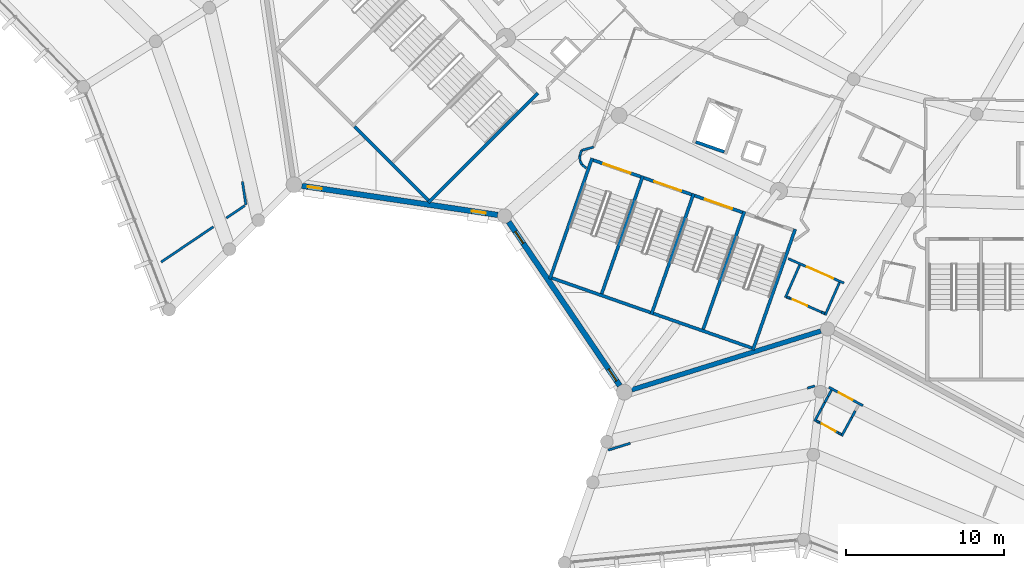
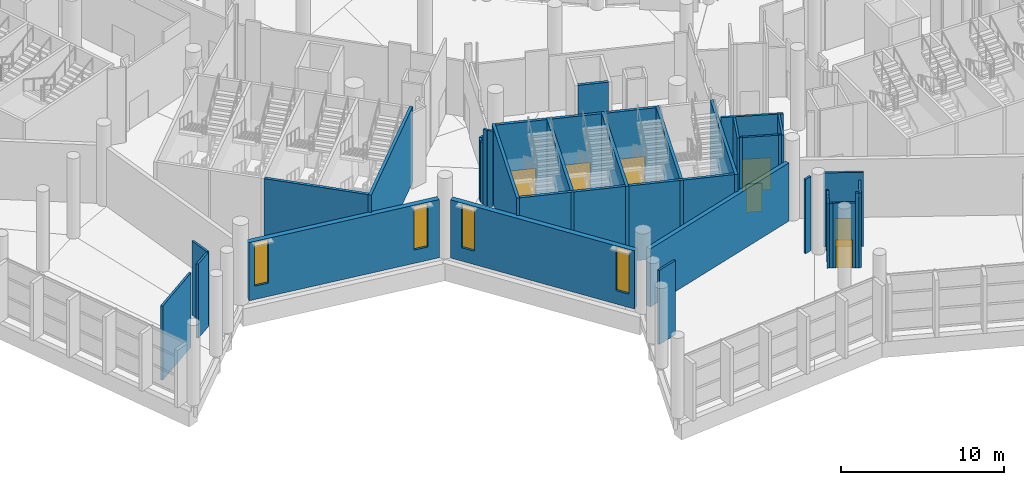
# One storey, part 136 of 249: 42 walls, 7 doors, 4 windows, 11 openings.
"""IFC4 building model written with IfcOpenShell, lengths in metres."""

from ifc_helpers import new_model, si_unit, direction, frame, frame_2d, origin, place, context, subcontext, project, spatial, rectangle, extrude, material, layer, layer_set, type_object, element, fill, save


model = new_model("IFC4")

# Units and contexts
model_context = context("Model", 3, precision=1e-05, world=origin(), true_north=direction((0.0, 1.0)))
body_context = subcontext(model_context, "Body", "Model", "MODEL_VIEW")
ifc_project = project(units=[si_unit("LENGTHUNIT", "METRE"), si_unit("AREAUNIT", "SQUARE_METRE"), si_unit("VOLUMEUNIT", "CUBIC_METRE"), si_unit("PLANEANGLEUNIT", "RADIAN"), si_unit("MASSUNIT", "GRAM", prefix="KILO")], contexts=[model_context])

# Site, building, storey
site_placement = place(None, origin())
site = spatial("IfcSite", under=ifc_project, at=site_placement, CompositionType="ELEMENT")
building_placement = place(site_placement, origin())
building = spatial("IfcBuilding", under=site, at=building_placement, Name="Meseta Stadium", CompositionType="ELEMENT")
storey_placement = place(building_placement, frame((0.0, 0.0, 12.0)))
storey = spatial("IfcBuildingStorey", under=building, at=storey_placement, Name="L02", CompositionType="ELEMENT", Elevation=12.0)

# Walls
ifc_material_1 = material(Name="Concrete C40/50", Category="concrete")
ifc_layer_1 = layer(ifc_material_1, 0.199951171875)
ifc_layer_set_1 = layer_set([ifc_layer_1], Name="Core divider wall 200")
wall_type_1 = type_object("IfcWallType", Name="Core divider wall 200", PredefinedType="SHEAR", material=ifc_layer_set_1)
for number, where, z_axis, x_axis, name in (
    (1, (-65.789306640625, -96.260009765625, 0.0), (0.0, 0.0, 1.0), (0.330280610426, 0.943882788474, 0.0), "Core 22 L02 stair A divider wall"),
    (2, (-59.370849609375, -98.505859375, 0.0), (0.0, 0.0, 1.0), (0.330280610426, 0.943882788474, 0.0), "Core 22 L02 stair B divider wall"),
):
    element("IfcWall", number, at=place(storey_placement, frame(where, z_axis=z_axis, x_axis=x_axis)), inside=storey, type_object=wall_type_1, Name=name, PredefinedType="SHEAR", context=body_context, shape_type="SweptSolid", body=[
        extrude(rectangle(XDim=8.10009765625, YDim=0.199951171875, at=frame_2d((4.050048828125, 0.0))), origin(), (0.0, 0.0, 1.0), 5.64990234375),
    ])
ifc_material_2 = material(Name="Concrete C40/50", Category="concrete")
ifc_layer_2 = layer(ifc_material_2, 0.199951171875)
ifc_layer_set_2 = layer_set([ifc_layer_2], Name="Core shaft wall 200")
wall_type_2 = type_object("IfcWallType", Name="Core shaft wall 200", PredefinedType="SHEAR", material=ifc_layer_set_2)
wall_1_placement = place(storey_placement, frame((-76.6884765625, -90.30517578125, 0.0), z_axis=(0.0, 0.0, 1.0), x_axis=(0.707106781187, 0.707106781187, 0.0)))
element("IfcWall", 3, at=wall_1_placement, inside=storey, type_object=wall_type_2, Name="Core 21 L02 stair wall B-side", PredefinedType="SHEAR", context=body_context, shape_type="SweptSolid", body=[
    extrude(rectangle(XDim=9.800048828125, YDim=0.199951171875, at=frame_2d((4.89990234375, 0.0))), origin(), (0.0, 0.0, 1.0), 5.64990234375),
])
wall_2_placement = place(storey_placement, frame((-81.355224609375, -85.496826171875, 0.0), z_axis=(0.0, 0.0, 1.0), x_axis=(0.707088285305, -0.707125276584, 0.0)))
element("IfcWall", 4, at=wall_2_placement, inside=storey, type_object=wall_type_2, Name="Core 21 L02 stair B outer end wall", PredefinedType="SHEAR", context=body_context, shape_type="SweptSolid", body=[
    extrude(rectangle(XDim=6.599853515625, YDim=0.199951171875, at=frame_2d((3.2998046875, 0.0))), origin(), (0.0, 0.0, 1.0), 5.64990234375),
])
for number, where, z_axis, x_axis, name in (
    (5, (-68.998291015625, -95.136962890625, 0.0), (0.0, 0.0, 1.0), (0.330263153216, 0.943888896866, 0.0), "Core 22 L02 stair wall A-side"),
    (6, (-62.580078125, -97.3828125, 0.0), (0.0, 0.0, 1.0), (0.330290006891, 0.943879500438, 0.0), "Core 22 L02 stair wall shared"),
):
    element("IfcWall", number, at=place(storey_placement, frame(where, z_axis=z_axis, x_axis=x_axis)), inside=storey, type_object=wall_type_2, Name=name, PredefinedType="SHEAR", context=body_context, shape_type="SweptSolid", body=[
        extrude(rectangle(XDim=8.099853515625, YDim=0.199951171875, at=frame_2d((4.0498046875, 0.0))), origin(), (0.0, 0.0, 1.0), 5.64990234375),
    ])
wall_3_placement = place(storey_placement, frame((-56.16162109375, -99.62890625, 0.0), z_axis=(0.0, 0.0, 1.0), x_axis=(0.330280610426, 0.943882788474, 0.0)))
element("IfcWall", 7, at=wall_3_placement, inside=storey, type_object=wall_type_2, Name="Core 22 L02 stair wall B-side", PredefinedType="SHEAR", context=body_context, shape_type="SweptSolid", body=[
    extrude(rectangle(XDim=8.10009765625, YDim=0.199951171875, at=frame_2d((4.050048828125, 0.0))), origin(), (0.0, 0.0, 1.0), 5.64990234375),
])
for number, where, z_axis, x_axis, name in (
    (8, (-68.87109375, -95.07568359375, 0.0), (0.0, 0.0, 1.0), (0.943880844925, -0.330286164688, 0.0), "Core 22 L02 stair A outer end wall"),
    (9, (-62.45263671875, -97.321533203125, 0.0), (0.0, 0.0, 1.0), (0.943880844925, -0.330286164688, 0.0), "Core 22 L02 stair B outer end wall"),
):
    element("IfcWall", number, at=place(storey_placement, frame(where, z_axis=z_axis, x_axis=x_axis)), inside=storey, type_object=wall_type_2, Name=name, PredefinedType="SHEAR", context=body_context, shape_type="SweptSolid", body=[
        extrude(rectangle(XDim=6.60009765625, YDim=0.199951171875, at=frame_2d((3.300048828125, 0.0))), origin(), (0.0, 0.0, 1.0), 5.64990234375),
    ])

# Wall, opening, door
wall_4_placement = place(storey_placement, frame((-66.26171875, -87.618896484375, 0.0), z_axis=(0.0, 0.0, 1.0), x_axis=(0.943878576031, -0.330292648585, 0.0)))
wall_4 = element("IfcWall", 10, at=wall_4_placement, inside=storey, type_object=wall_type_2, Name="Core 22 L02 stair A1 inner end wall", PredefinedType="SHEAR", context=body_context, shape_type="SweptSolid", body=[
    extrude(rectangle(XDim=3.199951171875, YDim=0.199951171875, at=frame_2d((1.60009765625, 0.0))), origin(), (0.0, 0.0, 1.0), 5.64990234375),
])
opening_1_placement = place(wall_4_placement, frame((0.699951171875, 0.0, 0.0)))
opening_1 = element("IfcOpeningElement", 11, at=opening_1_placement, cuts=wall_4, Name="Opening D1066", PredefinedType="OPENING", context=body_context, shape_type="SweptSolid", body=[
    extrude(rectangle(XDim=1.800048828125, YDim=2.10009765625, at=frame_2d((0.89990234375, 1.050048828125))), frame((0.0, 0.10986328125, 0.0), z_axis=(0.0, -1.0, 0.0), x_axis=(1.0, 0.0, 0.0)), (0.0, 0.0, 1.0), 0.219970703125),
])
ifc_material_3 = material(Name="Steel", Category="steel")
door_type_1 = type_object("IfcDoorType", Name="Stair door 1800x2100", OperationType="DOUBLE_DOOR_SINGLE_SWING", PredefinedType="DOOR", material=ifc_material_3)
door_1_placement = place(opening_1_placement, origin())
door_1 = element("IfcDoor", 12, at=door_1_placement, inside=storey, type_object=door_type_1, Name="Stair A1 door 22 L02", OperationType="DOUBLE_DOOR_SINGLE_SWING", OverallHeight=2.10009765625, OverallWidth=1.800048828125, PredefinedType="DOOR", context=body_context, shape_type="SweptSolid", body=[
    extrude(rectangle(XDim=1.800048828125, YDim=2.10009765625, at=frame_2d((0.89990234375, 1.050048828125))), frame((0.0, 0.02490234375, 0.0), z_axis=(0.0, -1.0, 0.0), x_axis=(1.0, 0.0, 0.0)), (0.0, 0.0, 1.0), 0.050048828125),
])
fill(opening_1, door_1)

wall_5_placement = place(storey_placement, frame((-63.052490234375, -88.741943359375, 0.0), z_axis=(0.0, 0.0, 1.0), x_axis=(0.943878576031, -0.330292648585, 0.0)))
wall_5 = element("IfcWall", 13, at=wall_5_placement, inside=storey, type_object=wall_type_2, Name="Core 22 L02 stair A2 inner end wall", PredefinedType="SHEAR", context=body_context, shape_type="SweptSolid", body=[
    extrude(rectangle(XDim=3.199951171875, YDim=0.199951171875, at=frame_2d((1.60009765625, 0.0))), origin(), (0.0, 0.0, 1.0), 5.64990234375),
])
opening_2_placement = place(wall_5_placement, frame((0.699951171875, 0.0, 0.0)))
opening_2 = element("IfcOpeningElement", 14, at=opening_2_placement, cuts=wall_5, Name="Opening D1070", PredefinedType="OPENING", context=body_context, shape_type="SweptSolid", body=[
    extrude(rectangle(XDim=1.800048828125, YDim=2.10009765625, at=frame_2d((0.89990234375, 1.050048828125))), frame((0.0, 0.10986328125, 0.0), z_axis=(0.0, -1.0, 0.0), x_axis=(1.0, 0.0, 0.0)), (0.0, 0.0, 1.0), 0.219970703125),
])
door_2_placement = place(opening_2_placement, origin())
door_2 = element("IfcDoor", 15, at=door_2_placement, inside=storey, type_object=door_type_1, Name="Stair A2 door 22 L02", OperationType="DOUBLE_DOOR_SINGLE_SWING", OverallHeight=2.10009765625, OverallWidth=1.800048828125, PredefinedType="DOOR", context=body_context, shape_type="SweptSolid", body=[
    extrude(rectangle(XDim=1.800048828125, YDim=2.10009765625, at=frame_2d((0.89990234375, 1.050048828125))), frame((0.0, 0.02490234375, 0.0), z_axis=(0.0, -1.0, 0.0), x_axis=(1.0, 0.0, 0.0)), (0.0, 0.0, 1.0), 0.050048828125),
])
fill(opening_2, door_2)

wall_6_placement = place(storey_placement, frame((-59.843505859375, -89.864990234375, 0.0), z_axis=(0.0, 0.0, 1.0), x_axis=(0.943886898693, -0.330268863922, 0.0)))
wall_6 = element("IfcWall", 16, at=wall_6_placement, inside=storey, type_object=wall_type_2, Name="Core 22 L02 stair B1 inner end wall", PredefinedType="SHEAR", context=body_context, shape_type="SweptSolid", body=[
    extrude(rectangle(XDim=3.2001953125, YDim=0.199951171875, at=frame_2d((1.60009765625, 0.0))), origin(), (0.0, 0.0, 1.0), 5.64990234375),
])
opening_3_placement = place(wall_6_placement, frame((0.699951171875, 0.0, 0.0)))
opening_3 = element("IfcOpeningElement", 17, at=opening_3_placement, cuts=wall_6, Name="Opening D1073", PredefinedType="OPENING", context=body_context, shape_type="SweptSolid", body=[
    extrude(rectangle(XDim=1.800048828125, YDim=2.10009765625, at=frame_2d((0.89990234375, 1.050048828125))), frame((0.0, 0.10986328125, 0.0), z_axis=(0.0, -1.0, 0.0), x_axis=(1.0, 0.0, 0.0)), (0.0, 0.0, 1.0), 0.219970703125),
])
door_3_placement = place(opening_3_placement, origin())
door_3 = element("IfcDoor", 18, at=door_3_placement, inside=storey, type_object=door_type_1, Name="Stair B1 door 22 L02", OperationType="DOUBLE_DOOR_SINGLE_SWING", OverallHeight=2.10009765625, OverallWidth=1.800048828125, PredefinedType="DOOR", context=body_context, shape_type="SweptSolid", body=[
    extrude(rectangle(XDim=1.800048828125, YDim=2.10009765625, at=frame_2d((0.89990234375, 1.050048828125))), frame((0.0, 0.02490234375, 0.0), z_axis=(0.0, -1.0, 0.0), x_axis=(1.0, 0.0, 0.0)), (0.0, 0.0, 1.0), 0.050048828125),
])
fill(opening_3, door_3)

# Wall
wall_7_placement = place(storey_placement, frame((-59.768798828125, -86.472412109375, 0.0), z_axis=(0.0, 0.0, 1.0), x_axis=(0.943862362559, -0.330338978239, 0.0)))
element("IfcWall", 19, at=wall_7_placement, inside=storey, type_object=wall_type_2, Name="Core 22 L02 lift shaft back wall", PredefinedType="SHEAR", context=body_context, shape_type="SweptSolid", body=[
    extrude(rectangle(XDim=1.900146484375, YDim=0.199951171875, at=frame_2d((0.9501953125, 0.0))), origin(), (0.0, 0.0, 1.0), 5.64990234375),
])

# Wall, opening, door
ifc_material_4 = material(Name="Masonry blockwork", Category="masonry")
ifc_layer_3 = layer(ifc_material_4, 0.14990234375)
ifc_layer_set_3 = layer_set([ifc_layer_3], Name="Partition 150")
wall_type_3 = type_object("IfcWallType", Name="Partition 150", PredefinedType="PARTITIONING", material=ifc_layer_set_3)
wall_8_placement = place(storey_placement, frame((-53.927490234375, -93.849853515625, 0.0), z_axis=(0.0, 0.0, 1.0), x_axis=(0.915527241614, -0.402255975546, 0.0)))
wall_8 = element("IfcWall", 20, at=wall_8_placement, inside=storey, type_object=wall_type_3, Name="Partition L02 L02-cell21-2-0", PredefinedType="PARTITIONING", context=body_context, shape_type="SweptSolid", body=[
    extrude(rectangle(XDim=3.8486328125, YDim=0.14990234375, at=frame_2d((1.92431640625, 0.0))), origin(), (0.0, 0.0, 1.0), 5.64990234375),
])
opening_4_placement = place(wall_8_placement, frame((1.300048828125, 0.0, 0.0)))
opening_4 = element("IfcOpeningElement", 21, at=opening_4_placement, cuts=wall_8, Name="Opening D1083", PredefinedType="OPENING", context=body_context, shape_type="SweptSolid", body=[
    extrude(rectangle(XDim=1.800048828125, YDim=2.39990234375, at=frame_2d((0.89990234375, 1.199951171875))), frame((0.0, 0.0849609375, 0.0), z_axis=(0.0, -1.0, 0.0), x_axis=(1.0, 0.0, 0.0)), (0.0, 0.0, 1.0), 0.169921875),
])
ifc_material_5 = material(Name="Steel", Category="steel")
door_type_2 = type_object("IfcDoorType", Name="Fire double door 1800x2400 EI2 60", OperationType="DOUBLE_DOOR_SINGLE_SWING", PredefinedType="DOOR", material=ifc_material_5)
door_4_placement = place(opening_4_placement, origin())
door_4 = element("IfcDoor", 22, at=door_4_placement, inside=storey, type_object=door_type_2, Name="Concourse door", OperationType="DOUBLE_DOOR_SINGLE_SWING", OverallHeight=2.39990234375, OverallWidth=1.800048828125, PredefinedType="DOOR", context=body_context, shape_type="SweptSolid", body=[
    extrude(rectangle(XDim=1.800048828125, YDim=2.39990234375, at=frame_2d((0.89990234375, 1.199951171875))), frame((0.0, 0.02490234375, 0.0), z_axis=(0.0, -1.0, 0.0), x_axis=(1.0, 0.0, 0.0)), (0.0, 0.0, 1.0), 0.050048828125),
])
fill(opening_4, door_4)

# Walls
wall_9_placement = place(storey_placement, frame((-88.4375, -88.9794921875, 0.0), z_axis=(0.0, 0.0, 1.0), x_axis=(0.146804847774, -0.989165474868, 0.0)))
element("IfcWall", 23, at=wall_9_placement, inside=storey, type_object=wall_type_3, Name="Partition L02 L02-ring19-0", PredefinedType="PARTITIONING", context=body_context, shape_type="SweptSolid", body=[
    extrude(rectangle(XDim=1.485107421875, YDim=0.14990234375, at=frame_2d((0.74267578125, 0.0))), origin(), (0.0, 0.0, 1.0), 5.550048828125),
])
wall_10_placement = place(storey_placement, frame((-88.288330078125, -90.4951171875, 0.0), z_axis=(0.0, 0.0, 1.0), x_axis=(-0.828834599632, -0.559493705464, 0.0)))
element("IfcWall", 24, at=wall_10_placement, inside=storey, type_object=wall_type_3, Name="Partition L02 L02-ring19-0", PredefinedType="PARTITIONING", context=body_context, shape_type="SweptSolid", body=[
    extrude(rectangle(XDim=1.40771484375, YDim=0.14990234375, at=frame_2d((0.703857421875, 0.0))), origin(), (0.0, 0.0, 1.0), 5.550048828125),
])
wall_11_placement = place(storey_placement, frame((-90.278564453125, -91.838623046875, 0.0), z_axis=(0.0, 0.0, 1.0), x_axis=(-0.828823753048, -0.559509773269, 0.0)))
element("IfcWall", 25, at=wall_11_placement, inside=storey, type_object=wall_type_3, Name="Partition L02 L02-ring19-0", PredefinedType="PARTITIONING", context=body_context, shape_type="SweptSolid", body=[
    extrude(rectangle(XDim=3.97509765625, YDim=0.14990234375, at=frame_2d((1.987548828125, 0.0))), origin(), (0.0, 0.0, 1.0), 5.550048828125),
])
wall_12_placement = place(storey_placement, frame((-65.31591796875, -105.958984375, 0.0), z_axis=(0.0, 0.0, 1.0), x_axis=(0.954867270895, 0.297032818008, 0.0)))
element("IfcWall", 26, at=wall_12_placement, inside=storey, type_object=wall_type_3, Name="Partition L02 L02-ring21-0", PredefinedType="PARTITIONING", context=body_context, shape_type="SweptSolid", body=[
    extrude(rectangle(XDim=1.46630859375, YDim=0.14990234375, at=frame_2d((0.733154296875, 0.0))), origin(), (0.0, 0.0, 1.0), 5.550048828125),
])
wall_13_placement = place(storey_placement, frame((-52.713623046875, -102.041015625, 0.0), z_axis=(0.0, 0.0, 1.0), x_axis=(0.954976336525, 0.296681979025, 0.0)))
element("IfcWall", 27, at=wall_13_placement, inside=storey, type_object=wall_type_3, Name="Partition L02 L02-ring21-0", PredefinedType="PARTITIONING", context=body_context, shape_type="SweptSolid", body=[
    extrude(rectangle(XDim=0.48876953125, YDim=0.14990234375, at=frame_2d((0.244384765625, 0.0))), origin(), (0.0, 0.0, 1.0), 5.550048828125),
])

# Wall, opening, door
wall_14_placement = place(storey_placement, frame((-51.351318359375, -101.983154296875, 0.0), z_axis=(0.0, 0.0, 1.0), x_axis=(0.879139929893, -0.476563724666, 0.0)))
wall_14 = element("IfcWall", 28, at=wall_14_placement, inside=storey, type_object=wall_type_3, Name="Partition L02 L02-ring21-0", PredefinedType="PARTITIONING", context=body_context, shape_type="SweptSolid", body=[
    extrude(rectangle(XDim=2.4384765625, YDim=0.14990234375, at=frame_2d((1.21923828125, 0.0))), origin(), (0.0, 0.0, 1.0), 5.550048828125),
])
opening_5_placement = place(wall_14_placement, frame((0.699951171875, 0.0, 0.0)))
opening_5 = element("IfcOpeningElement", 29, at=opening_5_placement, cuts=wall_14, Name="Opening D1086", PredefinedType="OPENING", context=body_context, shape_type="SweptSolid", body=[
    extrude(rectangle(XDim=1.0, YDim=2.10009765625, at=frame_2d((0.5, 1.050048828125))), frame((0.0, 0.0849609375, 0.0), z_axis=(0.0, -1.0, 0.0), x_axis=(1.0, 0.0, 0.0)), (0.0, 0.0, 1.0), 0.169921875),
])
ifc_material_6 = material(Name="Steel", Category="steel")
door_type_3 = type_object("IfcDoorType", Name="Fire door 1000x2100 EI2 60", OperationType="NOTDEFINED", PredefinedType="DOOR", material=ifc_material_6)
door_5_placement = place(opening_5_placement, origin())
door_5 = element("IfcDoor", 30, at=door_5_placement, inside=storey, type_object=door_type_3, Name="Room door L02 L02-ring21-0", OperationType="SINGLE_SWING_LEFT", OverallHeight=2.10009765625, OverallWidth=1.0, PredefinedType="DOOR", context=body_context, shape_type="SweptSolid", body=[
    extrude(rectangle(XDim=1.0, YDim=2.10009765625, at=frame_2d((0.5, 1.050048828125))), frame((0.0, 0.02490234375, 0.0), z_axis=(0.0, -1.0, 0.0), x_axis=(1.0, 0.0, 0.0)), (0.0, 0.0, 1.0), 0.050048828125),
])
fill(opening_5, door_5)

# Walls
wall_15_placement = place(storey_placement, frame((-66.99853515625, -87.010009765625, 0.0), z_axis=(0.0, 0.0, 1.0), x_axis=(-0.293078832254, -0.956088279441, 0.0)))
element("IfcWall", 31, at=wall_15_placement, inside=storey, type_object=wall_type_3, Name="Stair vestibule wall L02 core 22", PredefinedType="PARTITIONING", context=body_context, shape_type="SweptSolid", body=[
    extrude(rectangle(XDim=0.374755859375, YDim=0.14990234375, at=frame_2d((0.1875, 0.0))), origin(), (0.0, 0.0, 1.0), 4.550048828125),
])
wall_16_placement = place(storey_placement, frame((-67.1083984375, -87.368408203125, 0.0), z_axis=(0.0, 0.0, 1.0), x_axis=(0.056285305436, -0.998414725649, 0.0)))
element("IfcWall", 32, at=wall_16_placement, inside=storey, type_object=wall_type_3, Name="Stair vestibule wall L02 core 22", PredefinedType="PARTITIONING", context=body_context, shape_type="SweptSolid", body=[
    extrude(rectangle(XDim=0.281982421875, YDim=0.14990234375, at=frame_2d((0.14111328125, 0.0))), origin(), (0.0, 0.0, 1.0), 4.550048828125),
])
wall_17_placement = place(storey_placement, frame((-67.092529296875, -87.64990234375, 0.0), z_axis=(0.0, 0.0, 1.0), x_axis=(0.43378984255, -0.901014080079, 0.0)))
element("IfcWall", 33, at=wall_17_placement, inside=storey, type_object=wall_type_3, Name="Stair vestibule wall L02 core 22", PredefinedType="PARTITIONING", context=body_context, shape_type="SweptSolid", body=[
    extrude(rectangle(XDim=0.28466796875, YDim=0.14990234375, at=frame_2d((0.142333984375, 0.0))), origin(), (0.0, 0.0, 1.0), 5.64990234375),
])
wall_18_placement = place(storey_placement, frame((-66.968994140625, -87.906494140625, 0.0), z_axis=(0.0, 0.0, 1.0), x_axis=(0.770463975756, -0.63748353866, 0.0)))
element("IfcWall", 34, at=wall_18_placement, inside=storey, type_object=wall_type_3, Name="Stair vestibule wall L02 core 22", PredefinedType="PARTITIONING", context=body_context, shape_type="SweptSolid", body=[
    extrude(rectangle(XDim=0.356201171875, YDim=0.14990234375, at=frame_2d((0.17822265625, 0.0))), origin(), (0.0, 0.0, 1.0), 5.64990234375),
])
wall_19_placement = place(storey_placement, frame((-66.231689453125, -86.791748046875, 0.0), z_axis=(0.0, 0.0, 1.0), x_axis=(-0.962031488022, -0.27293848401, 0.0)))
element("IfcWall", 35, at=wall_19_placement, inside=storey, type_object=wall_type_3, Name="Stair vestibule wall L02 core 22", PredefinedType="PARTITIONING", context=body_context, shape_type="SweptSolid", body=[
    extrude(rectangle(XDim=0.796142578125, YDim=0.14990234375, at=frame_2d((0.39794921875, 0.0))), origin(), (0.0, 0.0, 1.0), 4.550048828125),
])
wall_20_placement = place(storey_placement, frame((-53.202392578125, -94.25048828125, 0.0), z_axis=(0.0, 0.0, 1.0), x_axis=(-0.402258540578, -0.91552611461, 0.0)))
element("IfcWall", 36, at=wall_20_placement, inside=storey, type_object=wall_type_3, Name="Partition L02 L02-cell21-2-0 vestibule", PredefinedType="PARTITIONING", context=body_context, shape_type="SweptSolid", body=[
    extrude(rectangle(XDim=2.249755859375, YDim=0.14990234375, at=frame_2d((1.125, 0.0))), origin(), (0.0, 0.0, 1.0), 5.64990234375),
])
wall_21_placement = place(storey_placement, frame((-50.684814453125, -95.3564453125, 0.0), z_axis=(0.0, 0.0, 1.0), x_axis=(-0.402127626208, -0.915583623838, 0.0)))
element("IfcWall", 37, at=wall_21_placement, inside=storey, type_object=wall_type_3, Name="Partition L02 L02-cell21-2-0 vestibule", PredefinedType="PARTITIONING", context=body_context, shape_type="SweptSolid", body=[
    extrude(rectangle(XDim=2.25, YDim=0.14990234375, at=frame_2d((1.125, 0.0))), origin(), (0.0, 0.0, 1.0), 5.64990234375),
])
wall_22_placement = place(storey_placement, frame((-54.008544921875, -96.27197265625, 0.0), z_axis=(0.0, 0.0, 1.0), x_axis=(0.915764568474, -0.401715390704, 0.0)))
element("IfcWall", 38, at=wall_22_placement, inside=storey, type_object=wall_type_3, Name="Partition L02 L02-cell21-2-0 vestibule", PredefinedType="PARTITIONING", context=body_context, shape_type="SweptSolid", body=[
    extrude(rectangle(XDim=0.199951171875, YDim=0.14990234375, at=frame_2d((0.10009765625, 0.0))), origin(), (0.0, 0.0, 1.0), 5.64990234375),
])

# Wall, opening, door
wall_23_placement = place(storey_placement, frame((-53.825439453125, -96.352294921875, 0.0), z_axis=(0.0, 0.0, 1.0), x_axis=(0.915519454023, -0.402273699495, 0.0)))
wall_23 = element("IfcWall", 39, at=wall_23_placement, inside=storey, type_object=wall_type_3, Name="Partition L02 L02-cell21-2-0 vestibule", PredefinedType="PARTITIONING", context=body_context, shape_type="SweptSolid", body=[
    extrude(rectangle(XDim=2.199951171875, YDim=0.14990234375, at=frame_2d((1.10009765625, 0.0))), origin(), (0.0, 0.0, 1.0), 5.64990234375),
])
opening_6_placement = place(wall_23_placement, frame((0.199951171875, 0.0, 0.0)))
opening_6 = element("IfcOpeningElement", 40, at=opening_6_placement, cuts=wall_23, Name="Opening D1080", PredefinedType="OPENING", context=body_context, shape_type="SweptSolid", body=[
    extrude(rectangle(XDim=1.0, YDim=2.10009765625, at=frame_2d((0.5, 1.050048828125))), frame((0.0, 0.0849609375, 0.0), z_axis=(0.0, -1.0, 0.0), x_axis=(1.0, 0.0, 0.0)), (0.0, 0.0, 1.0), 0.169921875),
])
door_6_placement = place(opening_6_placement, origin())
door_6 = element("IfcDoor", 41, at=door_6_placement, inside=storey, type_object=door_type_3, Name="Vestibule door L02 L02-cell21-2-0", OperationType="SINGLE_SWING_LEFT", OverallHeight=2.10009765625, OverallWidth=1.0, PredefinedType="DOOR", context=body_context, shape_type="SweptSolid", body=[
    extrude(rectangle(XDim=1.0, YDim=2.10009765625, at=frame_2d((0.5, 1.050048828125))), frame((0.0, 0.02490234375, 0.0), z_axis=(0.0, -1.0, 0.0), x_axis=(1.0, 0.0, 0.0)), (0.0, 0.0, 1.0), 0.050048828125),
])
fill(opening_6, door_6)

# Walls
wall_24_placement = place(storey_placement, frame((-51.811279296875, -97.2373046875, 0.0), z_axis=(0.0, 0.0, 1.0), x_axis=(0.915764568474, -0.401715390704, 0.0)))
element("IfcWall", 42, at=wall_24_placement, inside=storey, type_object=wall_type_3, Name="Partition L02 L02-cell21-2-0 vestibule", PredefinedType="PARTITIONING", context=body_context, shape_type="SweptSolid", body=[
    extrude(rectangle(XDim=0.199951171875, YDim=0.14990234375, at=frame_2d((0.10009765625, 0.0))), origin(), (0.0, 0.0, 1.0), 5.64990234375),
])
for number, where, z_axis, x_axis, name in (
    (43, (-51.189208984375, -102.156494140625, 0.0), (0.0, 0.0, 1.0), (-0.476912253193, -0.878950910321, 0.0), "Partition L02 L02-ring21-0 vestibule"),
    (44, (-51.40380859375, -102.552001953125, 0.0), (0.0, 0.0, 1.0), (-0.476492931446, -0.879178301758, 0.0), "Partition L02 L02-ring21-0 vestibule"),
):
    element("IfcWall", number, at=place(storey_placement, frame(where, z_axis=z_axis, x_axis=x_axis)), inside=storey, type_object=wall_type_3, Name=name, PredefinedType="PARTITIONING", context=body_context, shape_type="SweptSolid", body=[
        extrude(rectangle(XDim=0.449951171875, YDim=0.14990234375, at=frame_2d((0.22509765625, 0.0))), origin(), (0.0, 0.0, 1.0), 4.300048828125),
    ])
wall_25_placement = place(storey_placement, frame((-51.6181640625, -102.947509765625, 0.0), z_axis=(0.0, 0.0, 1.0), x_axis=(-0.476265673746, -0.879301431826, 0.0)))
element("IfcWall", 45, at=wall_25_placement, inside=storey, type_object=wall_type_3, Name="Partition L02 L02-ring21-0 vestibule", PredefinedType="PARTITIONING", context=body_context, shape_type="SweptSolid", body=[
    extrude(rectangle(XDim=0.4501953125, YDim=0.14990234375, at=frame_2d((0.22509765625, 0.0))), origin(), (0.0, 0.0, 1.0), 4.85009765625),
])
wall_26_placement = place(storey_placement, frame((-51.83251953125, -103.34326171875, 0.0), z_axis=(0.0, 0.0, 1.0), x_axis=(-0.476588960395, -0.879126249653, 0.0)))
element("IfcWall", 46, at=wall_26_placement, inside=storey, type_object=wall_type_3, Name="Partition L02 L02-ring21-0 vestibule", PredefinedType="PARTITIONING", context=body_context, shape_type="SweptSolid", body=[
    extrude(rectangle(XDim=0.900146484375, YDim=0.14990234375, at=frame_2d((0.4501953125, 0.0))), origin(), (0.0, 0.0, 1.0), 4.85009765625),
])
wall_27_placement = place(storey_placement, frame((-49.689453125, -103.481201171875, 0.0), z_axis=(0.0, 0.0, 1.0), x_axis=(-0.476265673746, -0.879301431826, 0.0)))
element("IfcWall", 47, at=wall_27_placement, inside=storey, type_object=wall_type_3, Name="Partition L02 L02-ring21-0 vestibule", PredefinedType="PARTITIONING", context=body_context, shape_type="SweptSolid", body=[
    extrude(rectangle(XDim=0.4501953125, YDim=0.14990234375, at=frame_2d((0.22509765625, 0.0))), origin(), (0.0, 0.0, 1.0), 4.300048828125),
])
wall_28_placement = place(storey_placement, frame((-49.90380859375, -103.876953125, 0.0), z_axis=(0.0, 0.0, 1.0), x_axis=(-0.476556959226, -0.879143597266, 0.0)))
element("IfcWall", 48, at=wall_28_placement, inside=storey, type_object=wall_type_3, Name="Partition L02 L02-ring21-0 vestibule", PredefinedType="PARTITIONING", context=body_context, shape_type="SweptSolid", body=[
    extrude(rectangle(XDim=1.349853515625, YDim=0.14990234375, at=frame_2d((0.6748046875, 0.0))), origin(), (0.0, 0.0, 1.0), 5.60009765625),
])
wall_29_placement = place(storey_placement, frame((-52.159912109375, -104.104248046875, 0.0), z_axis=(0.0, 0.0, 1.0), x_axis=(0.879568553605, -0.475772171853, 0.0)))
element("IfcWall", 49, at=wall_29_placement, inside=storey, type_object=wall_type_3, Name="Partition L02 L02-ring21-0 vestibule", PredefinedType="PARTITIONING", context=body_context, shape_type="SweptSolid", body=[
    extrude(rectangle(XDim=0.2001953125, YDim=0.14990234375, at=frame_2d((0.10009765625, 0.0))), origin(), (0.0, 0.0, 1.0), 4.85009765625),
])

# Wall, opening, door
wall_30_placement = place(storey_placement, frame((-51.98388671875, -104.199462890625, 0.0), z_axis=(0.0, 0.0, 1.0), x_axis=(0.879112361763, -0.476614577405, 0.0)))
wall_30 = element("IfcWall", 50, at=wall_30_placement, inside=storey, type_object=wall_type_3, Name="Partition L02 L02-ring21-0 vestibule", PredefinedType="PARTITIONING", context=body_context, shape_type="SweptSolid", body=[
    extrude(rectangle(XDim=1.39990234375, YDim=0.14990234375, at=frame_2d((0.699951171875, 0.0))), origin(), (0.0, 0.0, 1.0), 4.85009765625),
])
opening_7_placement = place(wall_30_placement, frame((0.199951171875, 0.0, 0.0)))
opening_7 = element("IfcOpeningElement", 51, at=opening_7_placement, cuts=wall_30, Name="Opening D1085", PredefinedType="OPENING", context=body_context, shape_type="SweptSolid", body=[
    extrude(rectangle(XDim=1.0, YDim=2.10009765625, at=frame_2d((0.5, 1.050048828125))), frame((0.0, 0.0849609375, 0.0), z_axis=(0.0, -1.0, 0.0), x_axis=(1.0, 0.0, 0.0)), (0.0, 0.0, 1.0), 0.169921875),
])
door_7_placement = place(opening_7_placement, origin())
door_7 = element("IfcDoor", 52, at=door_7_placement, inside=storey, type_object=door_type_3, Name="Vestibule door L02 L02-ring21-0", OperationType="SINGLE_SWING_RIGHT", OverallHeight=2.10009765625, OverallWidth=1.0, PredefinedType="DOOR", context=body_context, shape_type="SweptSolid", body=[
    extrude(rectangle(XDim=1.0, YDim=2.10009765625, at=frame_2d((0.5, 1.050048828125))), frame((0.0, 0.02490234375, 0.0), z_axis=(0.0, -1.0, 0.0), x_axis=(1.0, 0.0, 0.0)), (0.0, 0.0, 1.0), 0.050048828125),
])
fill(opening_7, door_7)

# Walls
wall_31_placement = place(storey_placement, frame((-50.753173828125, -104.86669921875, 0.0), z_axis=(0.0, 0.0, 1.0), x_axis=(0.878780312785, -0.477226530971, 0.0)))
element("IfcWall", 53, at=wall_31_placement, inside=storey, type_object=wall_type_3, Name="Partition L02 L02-ring21-0 vestibule", PredefinedType="PARTITIONING", context=body_context, shape_type="SweptSolid", body=[
    extrude(rectangle(XDim=0.199951171875, YDim=0.14990234375, at=frame_2d((0.10009765625, 0.0))), origin(), (0.0, 0.0, 1.0), 5.60009765625),
])
ifc_material_7 = material(Name="White precast concrete C40/50", Category="concrete")
ifc_layer_4 = layer(ifc_material_7, 0.300048828125)
ifc_layer_set_4 = layer_set([ifc_layer_4], Name="Pleated panel wall 300 concourse")
wall_type_4 = type_object("IfcWallType", Name="Pleated panel wall 300 concourse", PredefinedType="SOLIDWALL", material=ifc_layer_set_4)
wall_32_placement = place(storey_placement, frame((-51.87109375, -98.427978515625, 0.0), z_axis=(0.0, 0.0, 1.0), x_axis=(-0.954916036354, -0.29687600697, 0.0)))
element("IfcWall", 54, at=wall_32_placement, inside=storey, type_object=wall_type_4, Name="Pleated facade panel L02 F42", PredefinedType="SOLIDWALL", context=body_context, shape_type="SweptSolid", body=[
    extrude(rectangle(XDim=12.51318359375, YDim=0.300048828125, at=frame_2d((6.256591796875, 0.0))), origin(), (0.0, 0.0, 1.0), 4.35009765625),
])

# Wall, openings, windows
ifc_material_8 = material(Name="White precast concrete C40/50", Category="concrete")
ifc_layer_5 = layer(ifc_material_8, 0.35009765625)
ifc_layer_set_5 = layer_set([ifc_layer_5], Name="Pleated panel wall 350 gate")
wall_type_5 = type_object("IfcWallType", Name="Pleated panel wall 350 gate", PredefinedType="SOLIDWALL", material=ifc_layer_set_5)
wall_33_placement = place(storey_placement, frame((-72.30126953125, -91.084716796875, 0.0), z_axis=(0.0, 0.0, 1.0), x_axis=(-0.989159318747, 0.14684632149, 0.0)))
wall_33 = element("IfcWall", 55, at=wall_33_placement, inside=storey, type_object=wall_type_5, Name="Pleated facade panel L02 F40", PredefinedType="SOLIDWALL", context=body_context, shape_type="SweptSolid", body=[
    extrude(rectangle(XDim=12.51416015625, YDim=0.35009765625, at=frame_2d((6.257080078125, 0.0))), origin(), (0.0, 0.0, 1.0), 4.35009765625),
])
opening_8_placement = place(wall_33_placement, frame((0.75048828125, 0.0, 1.0)))
opening_8 = element("IfcOpeningElement", 56, at=opening_8_placement, cuts=wall_33, Name="Opening W012", PredefinedType="OPENING", context=body_context, shape_type="SweptSolid", body=[
    extrude(rectangle(XDim=0.89990234375, YDim=3.25, at=frame_2d((0.449951171875, 1.625))), frame((0.0, 0.18505859375, 0.0), z_axis=(0.0, -1.0, 0.0), x_axis=(1.0, 0.0, 0.0)), (0.0, 0.0, 1.0), 0.3701171875),
])
opening_9_placement = place(wall_33_placement, frame((11.25048828125, 0.0, 1.0)))
opening_9 = element("IfcOpeningElement", 57, at=opening_9_placement, cuts=wall_33, Name="Opening W008", PredefinedType="OPENING", context=body_context, shape_type="SweptSolid", body=[
    extrude(rectangle(XDim=0.89990234375, YDim=3.25, at=frame_2d((0.449951171875, 1.625))), frame((0.0, 0.18505859375, 0.0), z_axis=(0.0, -1.0, 0.0), x_axis=(1.0, 0.0, 0.0)), (0.0, 0.0, 1.0), 0.3701171875),
])
ifc_material_9 = material(Name="Aluminium", Category="aluminium")
window_type = type_object("IfcWindowType", Name="Slot window 900x3250", PartitioningType="SINGLE_PANEL", PredefinedType="WINDOW", material=ifc_material_9)
window_1_placement = place(opening_8_placement, origin())
window_1 = element("IfcWindow", 58, at=window_1_placement, inside=storey, type_object=window_type, Name="Slot window L02 F40.1", OverallHeight=3.25, OverallWidth=0.89990234375, PartitioningType="SINGLE_PANEL", PredefinedType="WINDOW", context=body_context, shape_type="SweptSolid", body=[
    extrude(rectangle(XDim=0.89990234375, YDim=3.25, at=frame_2d((0.449951171875, 1.625))), frame((0.0, 0.030029296875, 0.0), z_axis=(0.0, -1.0, 0.0), x_axis=(1.0, 0.0, 0.0)), (0.0, 0.0, 1.0), 0.06005859375),
])
fill(opening_8, window_1)
window_2_placement = place(opening_9_placement, origin())
window_2 = element("IfcWindow", 59, at=window_2_placement, inside=storey, type_object=window_type, Name="Slot window L02 F40.6", OverallHeight=3.25, OverallWidth=0.89990234375, PartitioningType="SINGLE_PANEL", PredefinedType="WINDOW", context=body_context, shape_type="SweptSolid", body=[
    extrude(rectangle(XDim=0.89990234375, YDim=3.25, at=frame_2d((0.449951171875, 1.625))), frame((0.0, 0.030029296875, 0.0), z_axis=(0.0, -1.0, 0.0), x_axis=(1.0, 0.0, 0.0)), (0.0, 0.0, 1.0), 0.06005859375),
])
fill(opening_9, window_2)

wall_34_placement = place(storey_placement, frame((-64.578125, -101.87744140625, 0.0), z_axis=(0.0, 0.0, 1.0), x_axis=(-0.561493784496, 0.827480954447, 0.0)))
wall_34 = element("IfcWall", 60, at=wall_34_placement, inside=storey, type_object=wall_type_5, Name="Pleated facade panel L02 F41", PredefinedType="SOLIDWALL", context=body_context, shape_type="SweptSolid", body=[
    extrude(rectangle(XDim=12.51318359375, YDim=0.35009765625, at=frame_2d((6.256591796875, 0.0))), origin(), (0.0, 0.0, 1.0), 4.35009765625),
])
opening_10_placement = place(wall_34_placement, frame((10.863037109375, 0.0, 1.0)))
opening_10 = element("IfcOpeningElement", 61, at=opening_10_placement, cuts=wall_34, Name="Opening W013", PredefinedType="OPENING", context=body_context, shape_type="SweptSolid", body=[
    extrude(rectangle(XDim=0.89990234375, YDim=3.25, at=frame_2d((0.449951171875, 1.625))), frame((0.0, 0.18505859375, 0.0), z_axis=(0.0, -1.0, 0.0), x_axis=(1.0, 0.0, 0.0)), (0.0, 0.0, 1.0), 0.3701171875),
])
opening_11_placement = place(wall_34_placement, frame((0.363037109375, 0.0, 1.0)))
opening_11 = element("IfcOpeningElement", 62, at=opening_11_placement, cuts=wall_34, Name="Opening W014", PredefinedType="OPENING", context=body_context, shape_type="SweptSolid", body=[
    extrude(rectangle(XDim=0.89990234375, YDim=3.25, at=frame_2d((0.449951171875, 1.625))), frame((0.0, 0.18505859375, 0.0), z_axis=(0.0, -1.0, 0.0), x_axis=(1.0, 0.0, 0.0)), (0.0, 0.0, 1.0), 0.3701171875),
])
window_3_placement = place(opening_10_placement, origin())
window_3 = element("IfcWindow", 63, at=window_3_placement, inside=storey, type_object=window_type, Name="Slot window L02 F41.1", OverallHeight=3.25, OverallWidth=0.89990234375, PartitioningType="SINGLE_PANEL", PredefinedType="WINDOW", context=body_context, shape_type="SweptSolid", body=[
    extrude(rectangle(XDim=0.89990234375, YDim=3.25, at=frame_2d((0.449951171875, 1.625))), frame((0.0, 0.030029296875, 0.0), z_axis=(0.0, -1.0, 0.0), x_axis=(1.0, 0.0, 0.0)), (0.0, 0.0, 1.0), 0.06005859375),
])
fill(opening_10, window_3)
window_4_placement = place(opening_11_placement, origin())
window_4 = element("IfcWindow", 64, at=window_4_placement, inside=storey, type_object=window_type, Name="Slot window L02 F41.6", OverallHeight=3.25, OverallWidth=0.89990234375, PartitioningType="SINGLE_PANEL", PredefinedType="WINDOW", context=body_context, shape_type="SweptSolid", body=[
    extrude(rectangle(XDim=0.89990234375, YDim=3.25, at=frame_2d((0.449951171875, 1.625))), frame((0.0, 0.030029296875, 0.0), z_axis=(0.0, -1.0, 0.0), x_axis=(1.0, 0.0, 0.0)), (0.0, 0.0, 1.0), 0.06005859375),
])
fill(opening_11, window_4)

save(model, "model.ifc")
